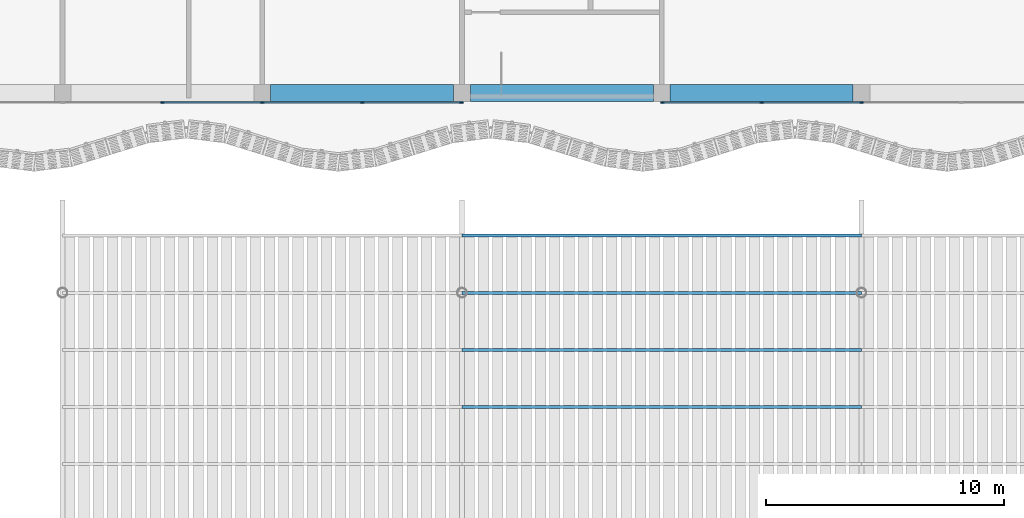
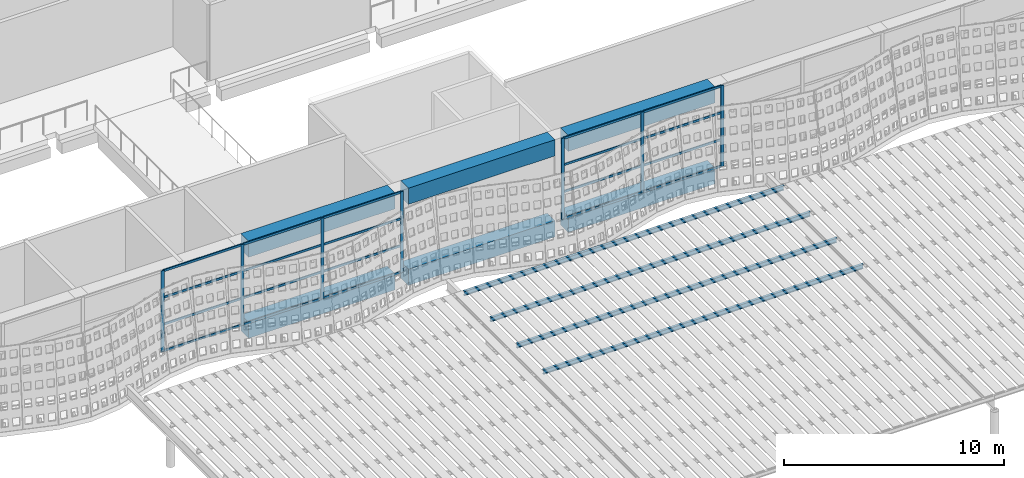
# One storey, part 32 of 162: 31 members, 6 beams, 2 elements without a shape of their own.
"""IFC4 building model written with IfcOpenShell, lengths in metres."""

import ifcopenshell
import ifcopenshell.guid

model = None  # the IFC model being written
_history = None  # IfcOwnerHistory: only IFC2X3 demands one
_inside = {}  # id of a spatial element -> (the spatial element, [elements in it])
_under = {}  # id of a project, library or spatial element -> (it, [spatial elements below it])
_declared = {}  # id of a project -> (the project, [libraries it declares])
_typed = {}  # id of a type object -> (the type object, [elements of that type])
_made_of = {}  # id of a material, layer set ... -> (it, [elements and type objects made of it])


def new_model(schema):
    """Start an empty IFC model of exactly this schema.

    Asked for "IFC4X3", IfcOpenShell would pick the latest addendum, in which some entities
    have other attributes; the version numbers below select the first issue.
    IFC2X3 requires an IfcOwnerHistory on every rooted entity: one is made here for all.
    """
    global model, _history
    if schema == "IFC4X3":
        model = ifcopenshell.file(schema_version=(4, 3, 0, 0))
    else:
        model = ifcopenshell.file(schema=schema)
    _inside.clear()
    _under.clear()
    _declared.clear()
    _typed.clear()
    _made_of.clear()
    _history = None
    if model.schema == "IFC2X3":
        org = make("IfcOrganization", Name="unknown")
        user = make(
            "IfcPersonAndOrganization",
            ThePerson=make("IfcPerson", FamilyName="unknown"),
            TheOrganization=org,
        )
        app = make(
            "IfcApplication",
            ApplicationDeveloper=org,
            Version="unknown",
            ApplicationFullName="unknown",
            ApplicationIdentifier="unknown",
        )
        _history = make(
            "IfcOwnerHistory",
            OwningUser=user,
            OwningApplication=app,
            ChangeAction="ADDED",
            CreationDate=0,
        )
    return model


def make(cls, **values):
    """One entity of the class cls with the attributes given. An attribute that is None is left unset."""
    return model.create_entity(
        cls, **{name: value for name, value in values.items() if value is not None}
    )


def rooted(cls, **values):
    """An entity with a GlobalId (a new one), such as an element, a storey or a relation."""
    return make(cls, GlobalId=ifcopenshell.guid.new(), OwnerHistory=_history, **values)


def si_unit(unit_type, name, prefix=None):
    """IfcSIUnit, for example si_unit("LENGTHUNIT", "METRE", prefix="MILLI")."""
    return make("IfcSIUnit", UnitType=unit_type, Prefix=prefix, Name=name)


def assignment(units):
    """IfcUnitAssignment: the units of a project."""
    return None if units is None else make("IfcUnitAssignment", Units=units)


def point(xyz):
    """IfcCartesianPoint."""
    return None if xyz is None else make("IfcCartesianPoint", Coordinates=xyz)


def direction(xyz):
    """IfcDirection."""
    return None if xyz is None else make("IfcDirection", DirectionRatios=xyz)


def frame(location, z_axis=None, x_axis=None):
    """IfcAxis2Placement3D, a coordinate frame: its origin and axes. An axis left out is left unset."""
    return make(
        "IfcAxis2Placement3D",
        Location=point(location),
        Axis=direction(z_axis),
        RefDirection=direction(x_axis),
    )


def frame_2d(location, x_axis=None):
    """IfcAxis2Placement2D, a coordinate frame in the plane: its origin and x axis."""
    return make(
        "IfcAxis2Placement2D", Location=point(location), RefDirection=direction(x_axis)
    )


def origin():
    """The frame at (0, 0, 0) with its axes left unset."""
    return frame((0.0, 0.0, 0.0))


def origin_2d():
    """The frame at (0, 0) in the plane with its x axis left unset."""
    return frame_2d((0.0, 0.0))


def place(relative_to, where):
    """IfcLocalPlacement: puts the frame where relative to a parent placement (None: the world)."""
    return make(
        "IfcLocalPlacement", PlacementRelTo=relative_to, RelativePlacement=where
    )


def context(
    kind, dimensions, precision=None, world=None, true_north=None, identifier=None
):
    """IfcGeometricRepresentationContext, for example the 3D "Model" context."""
    return make(
        "IfcGeometricRepresentationContext",
        ContextIdentifier=identifier,
        ContextType=kind,
        CoordinateSpaceDimension=dimensions,
        Precision=precision,
        WorldCoordinateSystem=world,
        TrueNorth=true_north,
    )


def subcontext(parent, identifier, kind, view, scale=None):
    """IfcGeometricRepresentationSubContext, for example "Body" below "Model"."""
    return make(
        "IfcGeometricRepresentationSubContext",
        ContextIdentifier=identifier,
        ContextType=kind,
        ParentContext=parent,
        TargetScale=scale,
        TargetView=view,
    )


def project(units=None, contexts=None):
    """IfcProject with its units and contexts."""
    return rooted(
        "IfcProject",
        Name="project",
        RepresentationContexts=contexts,
        UnitsInContext=assignment(units),
    )


def spatial(cls, under=None, at=None, **own):
    """A site, building, storey or space (cls), placed at a placement, below another one or the project."""
    s = rooted(cls, ObjectPlacement=at, **own)
    if under is not None:
        _under.setdefault(under.id(), (under, []))[1].append(s)
    return s


def profile(cls, at=None, kind="AREA", **sizes):
    """A parametric profile (cls). Its sizes go by their IFC names, for example OverallWidth=200.0."""
    return make(cls, ProfileType=kind, Position=at, **sizes)


def rectangle(**sizes):
    """IfcRectangleProfileDef."""
    return profile("IfcRectangleProfileDef", **sizes)


def i_section(**sizes):
    """IfcIShapeProfileDef."""
    return profile("IfcIShapeProfileDef", **sizes)


def extrude(swept, where, along, depth):
    """IfcExtrudedAreaSolid: the profile swept, set in the frame where, extruded along a direction by depth."""
    return make(
        "IfcExtrudedAreaSolid",
        SweptArea=swept,
        Position=where,
        ExtrudedDirection=direction(along),
        Depth=depth,
    )


def shape(context_of_items, identifier, shape_type, items):
    """IfcShapeRepresentation: the items that make up one representation, for example the "Body"."""
    return make(
        "IfcShapeRepresentation",
        ContextOfItems=context_of_items,
        RepresentationIdentifier=identifier,
        RepresentationType=shape_type,
        Items=items,
    )


def material(Name=None, Category=None):
    """IfcMaterial."""
    return make("IfcMaterial", Name=Name, Category=Category)


def layer(
    of_material, thickness, ventilated=None, Name=None, Category=None, Priority=None
):
    """IfcMaterialLayer: one layer of a wall or slab, of a material (None: an air gap)."""
    return make(
        "IfcMaterialLayer",
        Material=of_material,
        LayerThickness=thickness,
        IsVentilated=ventilated,
        Name=Name,
        Category=Category,
        Priority=Priority,
    )


def layer_set(layers, Name=None):
    """IfcMaterialLayerSet."""
    return make("IfcMaterialLayerSet", MaterialLayers=layers, LayerSetName=Name)


def material_profile(
    of_material, cross_section, Name=None, Category=None, Priority=None
):
    """IfcMaterialProfile: a cross section and its material."""
    return make(
        "IfcMaterialProfile",
        Name=Name,
        Material=of_material,
        Profile=cross_section,
        Priority=Priority,
        Category=Category,
    )


def profile_set(profiles, Name=None, composite=None):
    """IfcMaterialProfileSet."""
    return make(
        "IfcMaterialProfileSet",
        Name=Name,
        MaterialProfiles=profiles,
        CompositeProfile=composite,
    )


def made_of(thing, what):
    """Note that an element or type object is made of a material, layer set ...; save() writes the relation."""
    if what is not None:
        _made_of.setdefault(what.id(), (what, []))[1].append(thing)
    return thing


def type_object(cls, material=None, **own):
    """A type object (cls), such as IfcWallType, which elements share."""
    return made_of(rooted(cls, **own), material)


def element(
    cls,
    number,
    at=None,
    inside=None,
    cuts=None,
    type_object=None,
    material=None,
    context=None,
    identifier="Body",
    shape_type=None,
    held_by="IfcProductDefinitionShape",
    body=None,
    shapes=None,
    **own,
):
    """One element of the class cls, such as IfcWall. Its Tag is "e" and its number.

    at: its placement. inside: the storey or other place that contains it. cuts: it is an
    opening in that element (IfcRelVoidsElement). A single representation is given by context,
    identifier, shape_type and body (its items); several are given by shapes. held_by: the class
    of the entity that holds the representations. save() writes the other relations.
    """
    e = rooted(cls, Tag="e%d" % number, ObjectPlacement=at, **own)
    if body is not None:
        shapes = [shape(context, identifier, shape_type, body)]
    if shapes is not None:
        e.Representation = make(held_by, Representations=shapes)
    if inside is not None:
        _inside.setdefault(inside.id(), (inside, []))[1].append(e)
    if cuts is not None:
        rooted(
            "IfcRelVoidsElement", RelatingBuildingElement=cuts, RelatedOpeningElement=e
        )
    if type_object is not None:
        _typed.setdefault(type_object.id(), (type_object, []))[1].append(e)
    return made_of(e, material)


def aggregate(whole, parts):
    """IfcRelAggregates: a whole, such as a stair, and the parts it consists of."""
    return rooted("IfcRelAggregates", RelatingObject=whole, RelatedObjects=parts)


def save(model, path):
    """Write the relations noted so far, then the file.

    IfcRelAggregates (storeys below a building ...), IfcRelContainedInSpatialStructure (elements
    in a storey), IfcRelDefinesByType, IfcRelAssociatesMaterial and IfcRelDeclares: one each for
    every whole, place, type object, material and project.
    """
    for whole, parts in _under.values():
        aggregate(whole, parts)
    for where, things in _inside.values():
        rooted(
            "IfcRelContainedInSpatialStructure",
            RelatedElements=things,
            RelatingStructure=where,
        )
    for kind, things in _typed.values():
        rooted("IfcRelDefinesByType", RelatedObjects=things, RelatingType=kind)
    for what, things in _made_of.values():
        rooted("IfcRelAssociatesMaterial", RelatedObjects=things, RelatingMaterial=what)
    for by, libraries in _declared.values():
        rooted("IfcRelDeclares", RelatingContext=by, RelatedDefinitions=libraries)
    model.write(path)


model = new_model("IFC4")

# Units and contexts
model_context = context("Model", 3, precision=1e-05, world=origin(), true_north=direction((0.0, 1.0)))
body_context = subcontext(model_context, "Body", "Model", "MODEL_VIEW")
ifc_project = project(units=[si_unit("LENGTHUNIT", "METRE"), si_unit("AREAUNIT", "SQUARE_METRE"), si_unit("VOLUMEUNIT", "CUBIC_METRE"), si_unit("PLANEANGLEUNIT", "RADIAN"), si_unit("MASSUNIT", "GRAM", prefix="KILO")], contexts=[model_context])

# Site, building, storey
site_placement = place(None, origin())
site = spatial("IfcSite", under=ifc_project, at=site_placement, CompositionType="ELEMENT")
building_placement = place(site_placement, origin())
building = spatial("IfcBuilding", under=site, at=building_placement, Name="Rain Tree Exposition and Congress Centre", CompositionType="ELEMENT")
storey_placement = place(building_placement, frame((0.0, 0.0, 6.0)))
storey = spatial("IfcBuildingStorey", under=building, at=storey_placement, Name="L01", CompositionType="ELEMENT", Elevation=6.0)

# Curtain wall, members
ifc_material_1 = material(Name="Aluminium curtain wall system", Category="aluminium")
ifc_layer = layer(ifc_material_1, 0.10009765625)
ifc_layer_set = layer_set([ifc_layer], Name="Aluminium curtain wall system")
curtain_wall_type = type_object("IfcCurtainWallType", Name="Concourse curtain wall 4200 module", PredefinedType="NOTDEFINED", material=ifc_layer_set)
curtain_wall_1_placement = place(storey_placement, origin())
curtain_wall_1 = element("IfcCurtainWall", 1, at=curtain_wall_1_placement, inside=storey, type_object=curtain_wall_type, Name="Concourse curtain wall CWC23", PredefinedType="NOTDEFINED")
ifc_material_2 = material(Name="Aluminium mullion", Category="aluminium")
ifc_material_profile_1 = material_profile(ifc_material_2, rectangle(XDim=0.06005859375, YDim=0.159912109375, at=origin_2d()), Name="AL 60x160")
ifc_profile_set_1 = profile_set([ifc_material_profile_1], Name="Aluminium mullion")
member_type_1 = type_object("IfcMemberType", Name="Concourse curtain wall mullion 60x160", PredefinedType="MULLION", material=ifc_profile_set_1)
member_1_placement = place(storey_placement, frame((63.0, 75.199951171875, 0.0), z_axis=(0.0, 0.0, 1.0), x_axis=(0.0, 1.0, 0.0)))
member_1 = element("IfcMember", 2, at=member_1_placement, type_object=member_type_1, Name="CWC23 mullion 6", PredefinedType="MULLION", context=body_context, shape_type="SweptSolid", body=[
    extrude(rectangle(XDim=0.06005859375, YDim=0.159912109375, at=origin_2d()), origin(), (0.0, 0.0, 1.0), 4.5),
])
member_2_placement = place(storey_placement, frame((67.199951171875, 75.199951171875, 0.0), z_axis=(0.0, 0.0, 1.0), x_axis=(0.0, 1.0, 0.0)))
member_2 = element("IfcMember", 3, at=member_2_placement, type_object=member_type_1, Name="CWC23 mullion 7", PredefinedType="MULLION", context=body_context, shape_type="SweptSolid", body=[
    extrude(rectangle(XDim=0.06005859375, YDim=0.159912109375, at=origin_2d()), origin(), (0.0, 0.0, 1.0), 4.5),
])
member_3_placement = place(storey_placement, frame((71.39990234375, 75.199951171875, 0.0), z_axis=(0.0, 0.0, 1.0), x_axis=(0.0, 1.0, 0.0)))
member_3 = element("IfcMember", 4, at=member_3_placement, type_object=member_type_1, Name="CWC23 mullion 8", PredefinedType="MULLION", context=body_context, shape_type="SweptSolid", body=[
    extrude(rectangle(XDim=0.06005859375, YDim=0.159912109375, at=origin_2d()), origin(), (0.0, 0.0, 1.0), 4.5),
])
member_4_placement = place(storey_placement, frame((75.570068359375, 75.199951171875, 0.0), z_axis=(0.0, 0.0, 1.0), x_axis=(0.0, 1.0, 0.0)))
member_4 = element("IfcMember", 5, at=member_4_placement, type_object=member_type_1, Name="CWC23 mullion 9", PredefinedType="MULLION", context=body_context, shape_type="SweptSolid", body=[
    extrude(rectangle(XDim=0.06005859375, YDim=0.159912109375, at=origin_2d()), origin(), (0.0, 0.0, 1.0), 4.5),
])

curtain_wall_2_placement = place(storey_placement, origin())
curtain_wall_2 = element("IfcCurtainWall", 6, at=curtain_wall_2_placement, inside=storey, type_object=curtain_wall_type, Name="Concourse curtain wall CWC24", PredefinedType="NOTDEFINED")
member_5_placement = place(storey_placement, frame((84.030029296875, 75.199951171875, 0.0), z_axis=(0.0, 0.0, 1.0), x_axis=(0.0, 1.0, 0.0)))
member_5 = element("IfcMember", 7, at=member_5_placement, type_object=member_type_1, Name="CWC24 mullion 1", PredefinedType="MULLION", context=body_context, shape_type="SweptSolid", body=[
    extrude(rectangle(XDim=0.06005859375, YDim=0.159912109375, at=origin_2d()), origin(), (0.0, 0.0, 1.0), 4.5),
])
member_6_placement = place(storey_placement, frame((88.199951171875, 75.199951171875, 0.0), z_axis=(0.0, 0.0, 1.0), x_axis=(0.0, 1.0, 0.0)))
member_6 = element("IfcMember", 8, at=member_6_placement, type_object=member_type_1, Name="CWC24 mullion 2", PredefinedType="MULLION", context=body_context, shape_type="SweptSolid", body=[
    extrude(rectangle(XDim=0.06005859375, YDim=0.159912109375, at=origin_2d()), origin(), (0.0, 0.0, 1.0), 4.5),
])
member_7_placement = place(storey_placement, frame((92.39990234375, 75.199951171875, 0.0), z_axis=(0.0, 0.0, 1.0), x_axis=(0.0, 1.0, 0.0)))
member_7 = element("IfcMember", 9, at=member_7_placement, type_object=member_type_1, Name="CWC24 mullion 3", PredefinedType="MULLION", context=body_context, shape_type="SweptSolid", body=[
    extrude(rectangle(XDim=0.06005859375, YDim=0.159912109375, at=origin_2d()), origin(), (0.0, 0.0, 1.0), 4.5),
])

# Member
ifc_material_3 = material(Name="Aluminium transom", Category="aluminium")
ifc_material_profile_2 = material_profile(ifc_material_3, rectangle(XDim=0.06005859375, YDim=0.1201171875, at=origin_2d()), Name="AL 60x120")
ifc_profile_set_2 = profile_set([ifc_material_profile_2], Name="Aluminium transom")
member_type_2 = type_object("IfcMemberType", Name="Concourse curtain wall transom 60x120", PredefinedType="USERDEFINED", material=ifc_profile_set_2)
member_8_placement = place(storey_placement, frame((63.030029296875, 75.199951171875, 0.030029296875), z_axis=(1.0, 0.0, 0.0), x_axis=(0.0, 1.0, 0.0)))
member_8 = element("IfcMember", 10, at=member_8_placement, type_object=member_type_2, Name="CWC23 transom 6.1", ObjectType="TRANSOM", PredefinedType="USERDEFINED", context=body_context, shape_type="SweptSolid", body=[
    extrude(rectangle(XDim=0.06005859375, YDim=0.1201171875, at=origin_2d()), origin(), (0.0, 0.0, 1.0), 4.139892578125),
])

member_9_placement = place(storey_placement, frame((63.030029296875, 75.199951171875, 1.5), z_axis=(1.0, 0.0, 0.0), x_axis=(0.0, 1.0, 0.0)))
member_9 = element("IfcMember", 11, at=member_9_placement, type_object=member_type_2, Name="CWC23 transom 6.2", ObjectType="TRANSOM", PredefinedType="USERDEFINED", context=body_context, shape_type="SweptSolid", body=[
    extrude(rectangle(XDim=0.06005859375, YDim=0.1201171875, at=origin_2d()), origin(), (0.0, 0.0, 1.0), 4.139892578125),
])

member_10_placement = place(storey_placement, frame((63.030029296875, 75.199951171875, 3.0), z_axis=(1.0, 0.0, 0.0), x_axis=(0.0, 1.0, 0.0)))
member_10 = element("IfcMember", 12, at=member_10_placement, type_object=member_type_2, Name="CWC23 transom 6.3", ObjectType="TRANSOM", PredefinedType="USERDEFINED", context=body_context, shape_type="SweptSolid", body=[
    extrude(rectangle(XDim=0.06005859375, YDim=0.1201171875, at=origin_2d()), origin(), (0.0, 0.0, 1.0), 4.139892578125),
])

member_11_placement = place(storey_placement, frame((63.030029296875, 75.199951171875, 4.469970703125), z_axis=(1.0, 0.0, 0.0), x_axis=(0.0, 1.0, 0.0)))
member_11 = element("IfcMember", 13, at=member_11_placement, type_object=member_type_2, Name="CWC23 transom 6.4", ObjectType="TRANSOM", PredefinedType="USERDEFINED", context=body_context, shape_type="SweptSolid", body=[
    extrude(rectangle(XDim=0.06005859375, YDim=0.1201171875, at=origin_2d()), origin(), (0.0, 0.0, 1.0), 4.139892578125),
])

member_12_placement = place(storey_placement, frame((67.22998046875, 75.199951171875, 0.030029296875), z_axis=(1.0, 0.0, 0.0), x_axis=(0.0, 1.0, 0.0)))
member_12 = element("IfcMember", 14, at=member_12_placement, type_object=member_type_2, Name="CWC23 transom 7.1", ObjectType="TRANSOM", PredefinedType="USERDEFINED", context=body_context, shape_type="SweptSolid", body=[
    extrude(rectangle(XDim=0.06005859375, YDim=0.1201171875, at=origin_2d()), origin(), (0.0, 0.0, 1.0), 4.14013671875),
])

member_13_placement = place(storey_placement, frame((67.22998046875, 75.199951171875, 1.5), z_axis=(1.0, 0.0, 0.0), x_axis=(0.0, 1.0, 0.0)))
member_13 = element("IfcMember", 15, at=member_13_placement, type_object=member_type_2, Name="CWC23 transom 7.2", ObjectType="TRANSOM", PredefinedType="USERDEFINED", context=body_context, shape_type="SweptSolid", body=[
    extrude(rectangle(XDim=0.06005859375, YDim=0.1201171875, at=origin_2d()), origin(), (0.0, 0.0, 1.0), 4.14013671875),
])

member_14_placement = place(storey_placement, frame((67.22998046875, 75.199951171875, 3.0), z_axis=(1.0, 0.0, 0.0), x_axis=(0.0, 1.0, 0.0)))
member_14 = element("IfcMember", 16, at=member_14_placement, type_object=member_type_2, Name="CWC23 transom 7.3", ObjectType="TRANSOM", PredefinedType="USERDEFINED", context=body_context, shape_type="SweptSolid", body=[
    extrude(rectangle(XDim=0.06005859375, YDim=0.1201171875, at=origin_2d()), origin(), (0.0, 0.0, 1.0), 4.14013671875),
])

member_15_placement = place(storey_placement, frame((67.22998046875, 75.199951171875, 4.469970703125), z_axis=(1.0, 0.0, 0.0), x_axis=(0.0, 1.0, 0.0)))
member_15 = element("IfcMember", 17, at=member_15_placement, type_object=member_type_2, Name="CWC23 transom 7.4", ObjectType="TRANSOM", PredefinedType="USERDEFINED", context=body_context, shape_type="SweptSolid", body=[
    extrude(rectangle(XDim=0.06005859375, YDim=0.1201171875, at=origin_2d()), origin(), (0.0, 0.0, 1.0), 4.14013671875),
])

member_16_placement = place(storey_placement, frame((71.429931640625, 75.199951171875, 0.030029296875), z_axis=(1.0, 0.0, 0.0), x_axis=(0.0, 1.0, 0.0)))
member_16 = element("IfcMember", 18, at=member_16_placement, type_object=member_type_2, Name="CWC23 transom 8.1", ObjectType="TRANSOM", PredefinedType="USERDEFINED", context=body_context, shape_type="SweptSolid", body=[
    extrude(rectangle(XDim=0.06005859375, YDim=0.1201171875, at=origin_2d()), origin(), (0.0, 0.0, 1.0), 4.110107421875),
])

member_17_placement = place(storey_placement, frame((71.429931640625, 75.199951171875, 1.5), z_axis=(1.0, 0.0, 0.0), x_axis=(0.0, 1.0, 0.0)))
member_17 = element("IfcMember", 19, at=member_17_placement, type_object=member_type_2, Name="CWC23 transom 8.2", ObjectType="TRANSOM", PredefinedType="USERDEFINED", context=body_context, shape_type="SweptSolid", body=[
    extrude(rectangle(XDim=0.06005859375, YDim=0.1201171875, at=origin_2d()), origin(), (0.0, 0.0, 1.0), 4.110107421875),
])

member_18_placement = place(storey_placement, frame((71.429931640625, 75.199951171875, 3.0), z_axis=(1.0, 0.0, 0.0), x_axis=(0.0, 1.0, 0.0)))
member_18 = element("IfcMember", 20, at=member_18_placement, type_object=member_type_2, Name="CWC23 transom 8.3", ObjectType="TRANSOM", PredefinedType="USERDEFINED", context=body_context, shape_type="SweptSolid", body=[
    extrude(rectangle(XDim=0.06005859375, YDim=0.1201171875, at=origin_2d()), origin(), (0.0, 0.0, 1.0), 4.110107421875),
])

member_19_placement = place(storey_placement, frame((71.429931640625, 75.199951171875, 4.469970703125), z_axis=(1.0, 0.0, 0.0), x_axis=(0.0, 1.0, 0.0)))
member_19 = element("IfcMember", 21, at=member_19_placement, type_object=member_type_2, Name="CWC23 transom 8.4", ObjectType="TRANSOM", PredefinedType="USERDEFINED", context=body_context, shape_type="SweptSolid", body=[
    extrude(rectangle(XDim=0.06005859375, YDim=0.1201171875, at=origin_2d()), origin(), (0.0, 0.0, 1.0), 4.110107421875),
])

aggregate(curtain_wall_1, [member_1, member_2, member_3, member_4, member_8, member_9, member_10, member_11, member_12, member_13, member_14, member_15, member_16, member_17, member_18, member_19])

member_20_placement = place(storey_placement, frame((84.06005859375, 75.199951171875, 0.030029296875), z_axis=(1.0, 0.0, 0.0), x_axis=(0.0, 1.0, 0.0)))
member_20 = element("IfcMember", 22, at=member_20_placement, type_object=member_type_2, Name="CWC24 transom 1.1", ObjectType="TRANSOM", PredefinedType="USERDEFINED", context=body_context, shape_type="SweptSolid", body=[
    extrude(rectangle(XDim=0.06005859375, YDim=0.1201171875, at=origin_2d()), origin(), (0.0, 0.0, 1.0), 4.10986328125),
])

member_21_placement = place(storey_placement, frame((84.06005859375, 75.199951171875, 1.5), z_axis=(1.0, 0.0, 0.0), x_axis=(0.0, 1.0, 0.0)))
member_21 = element("IfcMember", 23, at=member_21_placement, type_object=member_type_2, Name="CWC24 transom 1.2", ObjectType="TRANSOM", PredefinedType="USERDEFINED", context=body_context, shape_type="SweptSolid", body=[
    extrude(rectangle(XDim=0.06005859375, YDim=0.1201171875, at=origin_2d()), origin(), (0.0, 0.0, 1.0), 4.10986328125),
])

member_22_placement = place(storey_placement, frame((84.06005859375, 75.199951171875, 3.0), z_axis=(1.0, 0.0, 0.0), x_axis=(0.0, 1.0, 0.0)))
member_22 = element("IfcMember", 24, at=member_22_placement, type_object=member_type_2, Name="CWC24 transom 1.3", ObjectType="TRANSOM", PredefinedType="USERDEFINED", context=body_context, shape_type="SweptSolid", body=[
    extrude(rectangle(XDim=0.06005859375, YDim=0.1201171875, at=origin_2d()), origin(), (0.0, 0.0, 1.0), 4.10986328125),
])

member_23_placement = place(storey_placement, frame((84.06005859375, 75.199951171875, 4.469970703125), z_axis=(1.0, 0.0, 0.0), x_axis=(0.0, 1.0, 0.0)))
member_23 = element("IfcMember", 25, at=member_23_placement, type_object=member_type_2, Name="CWC24 transom 1.4", ObjectType="TRANSOM", PredefinedType="USERDEFINED", context=body_context, shape_type="SweptSolid", body=[
    extrude(rectangle(XDim=0.06005859375, YDim=0.1201171875, at=origin_2d()), origin(), (0.0, 0.0, 1.0), 4.10986328125),
])

member_24_placement = place(storey_placement, frame((88.22998046875, 75.199951171875, 0.030029296875), z_axis=(1.0, 0.0, 0.0), x_axis=(0.0, 1.0, 0.0)))
member_24 = element("IfcMember", 26, at=member_24_placement, type_object=member_type_2, Name="CWC24 transom 2.1", ObjectType="TRANSOM", PredefinedType="USERDEFINED", context=body_context, shape_type="SweptSolid", body=[
    extrude(rectangle(XDim=0.06005859375, YDim=0.1201171875, at=origin_2d()), origin(), (0.0, 0.0, 1.0), 4.14013671875),
])

member_25_placement = place(storey_placement, frame((88.22998046875, 75.199951171875, 1.5), z_axis=(1.0, 0.0, 0.0), x_axis=(0.0, 1.0, 0.0)))
member_25 = element("IfcMember", 27, at=member_25_placement, type_object=member_type_2, Name="CWC24 transom 2.2", ObjectType="TRANSOM", PredefinedType="USERDEFINED", context=body_context, shape_type="SweptSolid", body=[
    extrude(rectangle(XDim=0.06005859375, YDim=0.1201171875, at=origin_2d()), origin(), (0.0, 0.0, 1.0), 4.14013671875),
])

member_26_placement = place(storey_placement, frame((88.22998046875, 75.199951171875, 3.0), z_axis=(1.0, 0.0, 0.0), x_axis=(0.0, 1.0, 0.0)))
member_26 = element("IfcMember", 28, at=member_26_placement, type_object=member_type_2, Name="CWC24 transom 2.3", ObjectType="TRANSOM", PredefinedType="USERDEFINED", context=body_context, shape_type="SweptSolid", body=[
    extrude(rectangle(XDim=0.06005859375, YDim=0.1201171875, at=origin_2d()), origin(), (0.0, 0.0, 1.0), 4.14013671875),
])

member_27_placement = place(storey_placement, frame((88.22998046875, 75.199951171875, 4.469970703125), z_axis=(1.0, 0.0, 0.0), x_axis=(0.0, 1.0, 0.0)))
member_27 = element("IfcMember", 29, at=member_27_placement, type_object=member_type_2, Name="CWC24 transom 2.4", ObjectType="TRANSOM", PredefinedType="USERDEFINED", context=body_context, shape_type="SweptSolid", body=[
    extrude(rectangle(XDim=0.06005859375, YDim=0.1201171875, at=origin_2d()), origin(), (0.0, 0.0, 1.0), 4.14013671875),
])

aggregate(curtain_wall_2, [member_5, member_6, member_7, member_20, member_21, member_22, member_23, member_24, member_25, member_26, member_27])

# Beams
ifc_material_4 = material(Name="Precast concrete C50/60", Category="concrete")
ifc_material_profile_3 = material_profile(ifc_material_4, rectangle(XDim=0.699951171875, YDim=0.89990234375, at=origin_2d()), Name="RC 700x900")
ifc_profile_set_3 = profile_set([ifc_material_profile_3], Name="Precast concrete C50/60")
beam_type = type_object("IfcBeamType", Name="Precast beam 700x900", PredefinedType="BEAM", material=ifc_profile_set_3)
for number, where, z_axis, x_axis, name in (
    (30, (67.550048828125, 75.60009765625, -0.449951171875), (1.0, 0.0, 0.0), (0.0, 1.0, 0.0), "Concourse edge beam 9"),
    (31, (75.949951171875, 75.60009765625, -0.449951171875), (1.0, 0.0, 0.0), (0.0, 1.0, 0.0), "Concourse edge beam 10"),
    (32, (84.35009765625, 75.60009765625, -0.449951171875), (1.0, 0.0, 0.0), (0.0, 1.0, 0.0), "Concourse edge beam 11"),
    (33, (67.550048828125, 75.60009765625, 4.050048828125), (1.0, 0.0, 0.0), (0.0, 1.0, 0.0), "Concourse roof edge beam 9"),
    (34, (75.949951171875, 75.60009765625, 4.050048828125), (1.0, 0.0, 0.0), (0.0, 1.0, 0.0), "Concourse roof edge beam 10"),
    (35, (84.35009765625, 75.60009765625, 4.050048828125), (1.0, 0.0, 0.0), (0.0, 1.0, 0.0), "Concourse roof edge beam 11"),
):
    element("IfcBeam", number, at=place(storey_placement, frame(where, z_axis=z_axis, x_axis=x_axis)), inside=storey, type_object=beam_type, Name=name, PredefinedType="BEAM", context=body_context, shape_type="SweptSolid", body=[
        extrude(rectangle(XDim=0.699951171875, YDim=0.89990234375, at=origin_2d()), origin(), (0.0, 0.0, 1.0), 7.699951171875),
    ])

# Members
ifc_material_5 = material(Name="Steel S355J2", Category="steel")
ifc_material_profile_4 = material_profile(ifc_material_5, i_section(OverallWidth=0.125, OverallDepth=0.25, WebThickness=0.006103515625, FlangeThickness=0.009033203125, FilletRadius=0.008056640625, at=origin_2d()), Name="H 250x125x6x9")
ifc_profile_set_4 = profile_set([ifc_material_profile_4], Name="Steel S355J2")
member_type_3 = type_object("IfcMemberType", Name="Steel purlin H 250x125x6x9", PredefinedType="PURLIN", material=ifc_profile_set_4)
for number, where, z_axis, x_axis, name in (
    (36, (75.60009765625, 62.39990234375, 2.22509765625), (1.0, 0.0, 0.0), (0.0, 1.0, 0.0), "Canopy purlin 27"),
    (37, (75.60009765625, 64.800048828125, 2.22509765625), (1.0, 0.0, 0.0), (0.0, 1.0, 0.0), "Canopy purlin 32"),
    (38, (75.60009765625, 67.199951171875, 2.22509765625), (1.0, 0.0, 0.0), (0.0, 1.0, 0.0), "Canopy purlin 37"),
    (39, (75.60009765625, 69.60009765625, 2.22509765625), (1.0, 0.0, 0.0), (0.0, 1.0, 0.0), "Canopy purlin 42"),
):
    element("IfcMember", number, at=place(storey_placement, frame(where, z_axis=z_axis, x_axis=x_axis)), inside=storey, type_object=member_type_3, Name=name, PredefinedType="PURLIN", context=body_context, shape_type="SweptSolid", body=[
        extrude(i_section(OverallWidth=0.125, OverallDepth=0.25, WebThickness=0.006103515625, FlangeThickness=0.009033203125, FilletRadius=0.008056640625, at=origin_2d()), origin(), (0.0, 0.0, 1.0), 16.7998046875),
    ])

save(model, "model.ifc")
